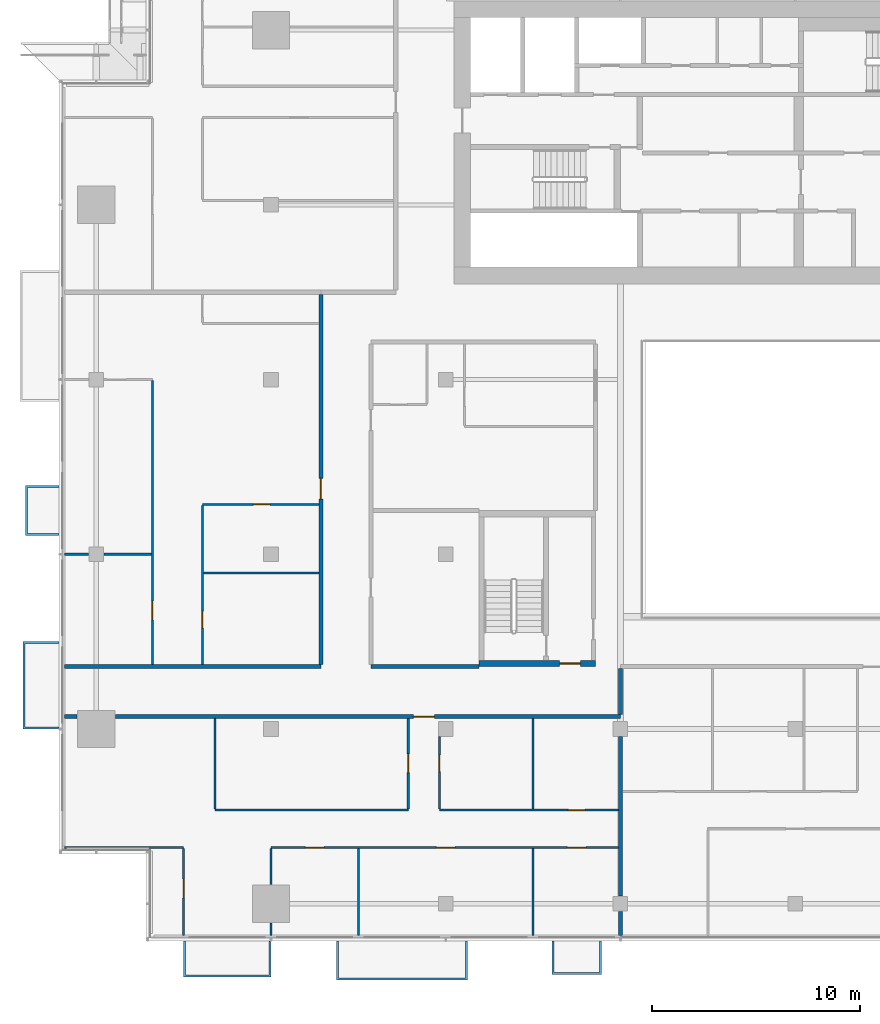
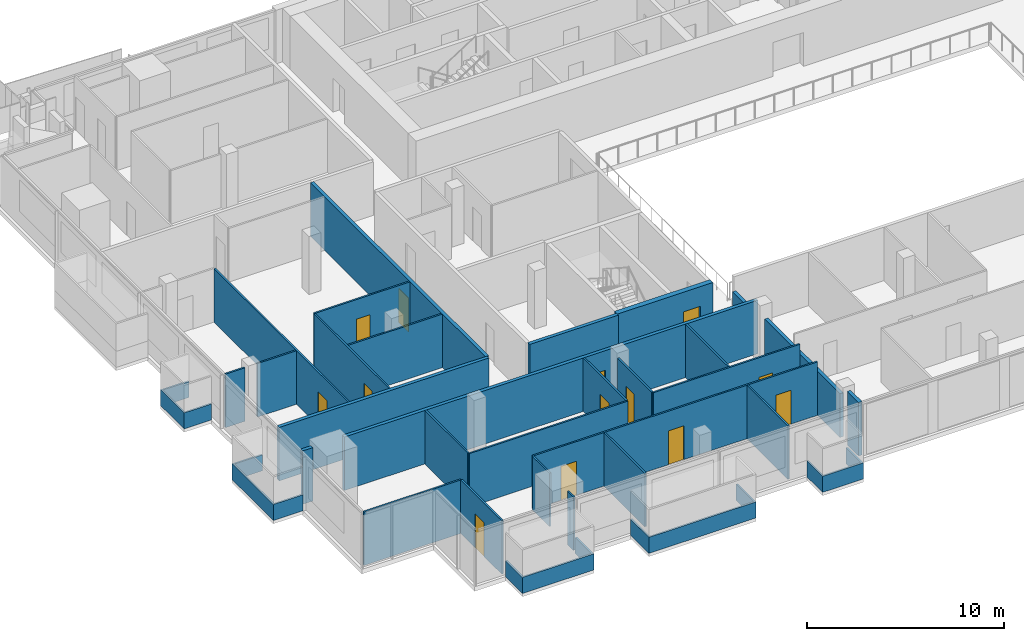
# One storey, part 17 of 30: 33 walls, 13 doors, 13 openings.
"""IFC4 building model written with IfcOpenShell, lengths in metres."""

import ifcopenshell
import ifcopenshell.guid

model = None  # the IFC model being written
_history = None  # IfcOwnerHistory: only IFC2X3 demands one
_inside = {}  # id of a spatial element -> (the spatial element, [elements in it])
_under = {}  # id of a project, library or spatial element -> (it, [spatial elements below it])
_declared = {}  # id of a project -> (the project, [libraries it declares])
_typed = {}  # id of a type object -> (the type object, [elements of that type])
_made_of = {}  # id of a material, layer set ... -> (it, [elements and type objects made of it])


def new_model(schema):
    """Start an empty IFC model of exactly this schema.

    Asked for "IFC4X3", IfcOpenShell would pick the latest addendum, in which some entities
    have other attributes; the version numbers below select the first issue.
    IFC2X3 requires an IfcOwnerHistory on every rooted entity: one is made here for all.
    """
    global model, _history
    if schema == "IFC4X3":
        model = ifcopenshell.file(schema_version=(4, 3, 0, 0))
    else:
        model = ifcopenshell.file(schema=schema)
    _inside.clear()
    _under.clear()
    _declared.clear()
    _typed.clear()
    _made_of.clear()
    _history = None
    if model.schema == "IFC2X3":
        org = make("IfcOrganization", Name="unknown")
        user = make(
            "IfcPersonAndOrganization",
            ThePerson=make("IfcPerson", FamilyName="unknown"),
            TheOrganization=org,
        )
        app = make(
            "IfcApplication",
            ApplicationDeveloper=org,
            Version="unknown",
            ApplicationFullName="unknown",
            ApplicationIdentifier="unknown",
        )
        _history = make(
            "IfcOwnerHistory",
            OwningUser=user,
            OwningApplication=app,
            ChangeAction="ADDED",
            CreationDate=0,
        )
    return model


def make(cls, **values):
    """One entity of the class cls with the attributes given. An attribute that is None is left unset."""
    return model.create_entity(
        cls, **{name: value for name, value in values.items() if value is not None}
    )


def rooted(cls, **values):
    """An entity with a GlobalId (a new one), such as an element, a storey or a relation."""
    return make(cls, GlobalId=ifcopenshell.guid.new(), OwnerHistory=_history, **values)


def si_unit(unit_type, name, prefix=None):
    """IfcSIUnit, for example si_unit("LENGTHUNIT", "METRE", prefix="MILLI")."""
    return make("IfcSIUnit", UnitType=unit_type, Prefix=prefix, Name=name)


def assignment(units):
    """IfcUnitAssignment: the units of a project."""
    return None if units is None else make("IfcUnitAssignment", Units=units)


def point(xyz):
    """IfcCartesianPoint."""
    return None if xyz is None else make("IfcCartesianPoint", Coordinates=xyz)


def direction(xyz):
    """IfcDirection."""
    return None if xyz is None else make("IfcDirection", DirectionRatios=xyz)


def frame(location, z_axis=None, x_axis=None):
    """IfcAxis2Placement3D, a coordinate frame: its origin and axes. An axis left out is left unset."""
    return make(
        "IfcAxis2Placement3D",
        Location=point(location),
        Axis=direction(z_axis),
        RefDirection=direction(x_axis),
    )


def frame_2d(location, x_axis=None):
    """IfcAxis2Placement2D, a coordinate frame in the plane: its origin and x axis."""
    return make(
        "IfcAxis2Placement2D", Location=point(location), RefDirection=direction(x_axis)
    )


def origin():
    """The frame at (0, 0, 0) with its axes left unset."""
    return frame((0.0, 0.0, 0.0))


def place(relative_to, where):
    """IfcLocalPlacement: puts the frame where relative to a parent placement (None: the world)."""
    return make(
        "IfcLocalPlacement", PlacementRelTo=relative_to, RelativePlacement=where
    )


def context(
    kind, dimensions, precision=None, world=None, true_north=None, identifier=None
):
    """IfcGeometricRepresentationContext, for example the 3D "Model" context."""
    return make(
        "IfcGeometricRepresentationContext",
        ContextIdentifier=identifier,
        ContextType=kind,
        CoordinateSpaceDimension=dimensions,
        Precision=precision,
        WorldCoordinateSystem=world,
        TrueNorth=true_north,
    )


def subcontext(parent, identifier, kind, view, scale=None):
    """IfcGeometricRepresentationSubContext, for example "Body" below "Model"."""
    return make(
        "IfcGeometricRepresentationSubContext",
        ContextIdentifier=identifier,
        ContextType=kind,
        ParentContext=parent,
        TargetScale=scale,
        TargetView=view,
    )


def project(units=None, contexts=None):
    """IfcProject with its units and contexts."""
    return rooted(
        "IfcProject",
        Name="project",
        RepresentationContexts=contexts,
        UnitsInContext=assignment(units),
    )


def spatial(cls, under=None, at=None, **own):
    """A site, building, storey or space (cls), placed at a placement, below another one or the project."""
    s = rooted(cls, ObjectPlacement=at, **own)
    if under is not None:
        _under.setdefault(under.id(), (under, []))[1].append(s)
    return s


def polyline(points):
    """IfcPolyline through the points."""
    return make("IfcPolyline", Points=[point(p) for p in points])


def profile(cls, at=None, kind="AREA", **sizes):
    """A parametric profile (cls). Its sizes go by their IFC names, for example OverallWidth=200.0."""
    return make(cls, ProfileType=kind, Position=at, **sizes)


def rectangle(**sizes):
    """IfcRectangleProfileDef."""
    return profile("IfcRectangleProfileDef", **sizes)


def outline(outer, holes=None, kind="AREA"):
    """IfcArbitraryClosedProfileDef: a profile drawn as a closed curve; with holes, ...WithVoids."""
    if holes is None:
        return make("IfcArbitraryClosedProfileDef", ProfileType=kind, OuterCurve=outer)
    return make(
        "IfcArbitraryProfileDefWithVoids",
        ProfileType=kind,
        OuterCurve=outer,
        InnerCurves=holes,
    )


def extrude(swept, where, along, depth):
    """IfcExtrudedAreaSolid: the profile swept, set in the frame where, extruded along a direction by depth."""
    return make(
        "IfcExtrudedAreaSolid",
        SweptArea=swept,
        Position=where,
        ExtrudedDirection=direction(along),
        Depth=depth,
    )


def shape(context_of_items, identifier, shape_type, items):
    """IfcShapeRepresentation: the items that make up one representation, for example the "Body"."""
    return make(
        "IfcShapeRepresentation",
        ContextOfItems=context_of_items,
        RepresentationIdentifier=identifier,
        RepresentationType=shape_type,
        Items=items,
    )


def material(Name=None, Category=None):
    """IfcMaterial."""
    return make("IfcMaterial", Name=Name, Category=Category)


def layer(
    of_material, thickness, ventilated=None, Name=None, Category=None, Priority=None
):
    """IfcMaterialLayer: one layer of a wall or slab, of a material (None: an air gap)."""
    return make(
        "IfcMaterialLayer",
        Material=of_material,
        LayerThickness=thickness,
        IsVentilated=ventilated,
        Name=Name,
        Category=Category,
        Priority=Priority,
    )


def layer_set(layers, Name=None):
    """IfcMaterialLayerSet."""
    return make("IfcMaterialLayerSet", MaterialLayers=layers, LayerSetName=Name)


def made_of(thing, what):
    """Note that an element or type object is made of a material, layer set ...; save() writes the relation."""
    if what is not None:
        _made_of.setdefault(what.id(), (what, []))[1].append(thing)
    return thing


def type_object(cls, material=None, **own):
    """A type object (cls), such as IfcWallType, which elements share."""
    return made_of(rooted(cls, **own), material)


def element(
    cls,
    number,
    at=None,
    inside=None,
    cuts=None,
    type_object=None,
    material=None,
    context=None,
    identifier="Body",
    shape_type=None,
    held_by="IfcProductDefinitionShape",
    body=None,
    shapes=None,
    **own,
):
    """One element of the class cls, such as IfcWall. Its Tag is "e" and its number.

    at: its placement. inside: the storey or other place that contains it. cuts: it is an
    opening in that element (IfcRelVoidsElement). A single representation is given by context,
    identifier, shape_type and body (its items); several are given by shapes. held_by: the class
    of the entity that holds the representations. save() writes the other relations.
    """
    e = rooted(cls, Tag="e%d" % number, ObjectPlacement=at, **own)
    if body is not None:
        shapes = [shape(context, identifier, shape_type, body)]
    if shapes is not None:
        e.Representation = make(held_by, Representations=shapes)
    if inside is not None:
        _inside.setdefault(inside.id(), (inside, []))[1].append(e)
    if cuts is not None:
        rooted(
            "IfcRelVoidsElement", RelatingBuildingElement=cuts, RelatedOpeningElement=e
        )
    if type_object is not None:
        _typed.setdefault(type_object.id(), (type_object, []))[1].append(e)
    return made_of(e, material)


def fill(opening, filler):
    """IfcRelFillsElement: the door or window that sits in an opening."""
    return rooted(
        "IfcRelFillsElement",
        RelatingOpeningElement=opening,
        RelatedBuildingElement=filler,
    )


def aggregate(whole, parts):
    """IfcRelAggregates: a whole, such as a stair, and the parts it consists of."""
    return rooted("IfcRelAggregates", RelatingObject=whole, RelatedObjects=parts)


def save(model, path):
    """Write the relations noted so far, then the file.

    IfcRelAggregates (storeys below a building ...), IfcRelContainedInSpatialStructure (elements
    in a storey), IfcRelDefinesByType, IfcRelAssociatesMaterial and IfcRelDeclares: one each for
    every whole, place, type object, material and project.
    """
    for whole, parts in _under.values():
        aggregate(whole, parts)
    for where, things in _inside.values():
        rooted(
            "IfcRelContainedInSpatialStructure",
            RelatedElements=things,
            RelatingStructure=where,
        )
    for kind, things in _typed.values():
        rooted("IfcRelDefinesByType", RelatedObjects=things, RelatingType=kind)
    for what, things in _made_of.values():
        rooted("IfcRelAssociatesMaterial", RelatedObjects=things, RelatingMaterial=what)
    for by, libraries in _declared.values():
        rooted("IfcRelDeclares", RelatingContext=by, RelatedDefinitions=libraries)
    model.write(path)


model = new_model("IFC4")

# Units and contexts
model_context = context("Model", 3, precision=1e-05, world=origin(), true_north=direction((0.0, 1.0)))
body_context = subcontext(model_context, "Body", "Model", "MODEL_VIEW")
ifc_project = project(units=[si_unit("LENGTHUNIT", "METRE"), si_unit("AREAUNIT", "SQUARE_METRE"), si_unit("VOLUMEUNIT", "CUBIC_METRE"), si_unit("PLANEANGLEUNIT", "RADIAN"), si_unit("MASSUNIT", "GRAM", prefix="KILO")], contexts=[model_context])

# Site, building, storey
site_placement = place(None, origin())
site = spatial("IfcSite", under=ifc_project, at=site_placement, CompositionType="ELEMENT")
building_placement = place(site_placement, origin())
building = spatial("IfcBuilding", under=site, at=building_placement, Name="Saffron Gate Tower", CompositionType="ELEMENT")
storey_placement = place(building_placement, frame((0.0, 0.0, 158.25)))
storey = spatial("IfcBuildingStorey", under=building, at=storey_placement, Name="L38", CompositionType="ELEMENT", Elevation=158.25)

# Wall, opening, door
ifc_material_1 = material(Name="Concrete C60", Category="concrete")
ifc_layer_1 = layer(ifc_material_1, 0.300048828125)
ifc_layer_set_1 = layer_set([ifc_layer_1], Name="CW17 RC core wall 300 C60")
wall_type_1 = type_object("IfcWallType", Name="CW17 RC core wall 300 C60", PredefinedType="SOLIDWALL", material=ifc_layer_set_1)
wall_1_placement = place(storey_placement, frame((68.199951171875, 43.35009765625, 0.0), z_axis=(0.0, 0.0, 1.0), x_axis=(1.0, 0.0, 0.0)))
wall_1 = element("IfcWall", 1, at=wall_1_placement, inside=storey, type_object=wall_type_1, Name="Wall CW17-L38-D-1", PredefinedType="SOLIDWALL", context=body_context, shape_type="SweptSolid", body=[
    extrude(rectangle(XDim=5.60009765625, YDim=0.300048828125, at=frame_2d((2.800048828125, 0.0))), origin(), (0.0, 0.0, 1.0), 3.320068359375),
])
opening_1_placement = place(wall_1_placement, frame((3.875, 0.0, 0.0)))
opening_1 = element("IfcOpeningElement", 2, at=opening_1_placement, cuts=wall_1, Name="Opening CR-18", PredefinedType="OPENING", context=body_context, shape_type="SweptSolid", body=[
    extrude(rectangle(XDim=1.0, YDim=2.10009765625, at=frame_2d((0.5, 1.050048828125))), frame((0.0, 0.16015625, 0.0), z_axis=(0.0, -1.0, 0.0), x_axis=(1.0, 0.0, 0.0)), (0.0, 0.0, 1.0), 0.320068359375),
])
ifc_material_2 = material(Name="Steel fire door set", Category="steel")
door_type_1 = type_object("IfcDoorType", Name="CD4 Lobby door 1000x2100 EI 120", OperationType="NOTDEFINED", PredefinedType="DOOR", material=ifc_material_2)
door_1_placement = place(opening_1_placement, origin())
door_1 = element("IfcDoor", 3, at=door_1_placement, inside=storey, type_object=door_type_1, Name="DOOR CR-18", OperationType="SINGLE_SWING_RIGHT", OverallHeight=2.10009765625, OverallWidth=1.0, PredefinedType="DOOR", context=body_context, shape_type="SweptSolid", body=[
    extrude(rectangle(XDim=1.0, YDim=2.10009765625, at=frame_2d((0.5, 1.050048828125))), frame((0.0, 0.02490234375, 0.0), z_axis=(0.0, -1.0, 0.0), x_axis=(1.0, 0.0, 0.0)), (0.0, 0.0, 1.0), 0.050048828125),
])
fill(opening_1, door_1)

# Wall
ifc_material_3 = material(Name="Plasterboard on steel studs", Category="steel")
ifc_layer_2 = layer(ifc_material_3, 0.10009765625)
ifc_layer_set_2 = layer_set([ifc_layer_2], Name="PW1 Partition 100")
wall_type_2 = type_object("IfcWallType", Name="PW1 Partition 100", PredefinedType="PARTITIONING", material=ifc_layer_set_2)
wall_2_placement = place(storey_placement, frame((48.280029296875, 34.5, 0.0), z_axis=(0.0, 0.0, 1.0), x_axis=(1.0, 0.0, 0.0)))
element("IfcWall", 4, at=wall_2_placement, inside=storey, type_object=wall_type_2, Name="Partition C2-1", PredefinedType="PARTITIONING", context=body_context, shape_type="SweptSolid", body=[
    extrude(rectangle(XDim=5.719970703125, YDim=0.10009765625, at=frame_2d((2.85986328125, 0.0))), origin(), (0.0, 0.0, 1.0), 3.320068359375),
])

# Wall, openings, doors
wall_3_placement = place(storey_placement, frame((74.89990234375, 34.5, 0.0), z_axis=(0.0, 0.0, 1.0), x_axis=(-1.0, 0.0, 0.0)))
wall_3 = element("IfcWall", 5, at=wall_3_placement, inside=storey, type_object=wall_type_2, Name="Partition C2-2", PredefinedType="PARTITIONING", context=body_context, shape_type="SweptSolid", body=[
    extrude(rectangle(XDim=16.699951171875, YDim=0.10009765625, at=frame_2d((8.35009765625, 0.0))), origin(), (0.0, 0.0, 1.0), 3.320068359375),
])
opening_2_placement = place(wall_3_placement, frame((1.550048828125, 0.0, 0.0)))
opening_2 = element("IfcOpeningElement", 6, at=opening_2_placement, cuts=wall_3, Name="Opening C2-13", PredefinedType="OPENING", context=body_context, shape_type="SweptSolid", body=[
    extrude(rectangle(XDim=0.89990234375, YDim=2.10009765625, at=frame_2d((0.449951171875, 1.050048828125))), frame((0.0, 0.06005859375, 0.0), z_axis=(0.0, -1.0, 0.0), x_axis=(1.0, 0.0, 0.0)), (0.0, 0.0, 1.0), 0.1201171875),
])
opening_3_placement = place(wall_3_placement, frame((7.85009765625, 0.0, 0.0)))
opening_3 = element("IfcOpeningElement", 7, at=opening_3_placement, cuts=wall_3, Name="Opening C2-12", PredefinedType="OPENING", context=body_context, shape_type="SweptSolid", body=[
    extrude(rectangle(XDim=0.89990234375, YDim=2.10009765625, at=frame_2d((0.449951171875, 1.050048828125))), frame((0.0, 0.06005859375, 0.0), z_axis=(0.0, -1.0, 0.0), x_axis=(1.0, 0.0, 0.0)), (0.0, 0.0, 1.0), 0.1201171875),
])
opening_4_placement = place(wall_3_placement, frame((14.14990234375, 0.0, 0.0)))
opening_4 = element("IfcOpeningElement", 8, at=opening_4_placement, cuts=wall_3, Name="Opening C2-11", PredefinedType="OPENING", context=body_context, shape_type="SweptSolid", body=[
    extrude(rectangle(XDim=0.89990234375, YDim=2.10009765625, at=frame_2d((0.449951171875, 1.050048828125))), frame((0.0, 0.06005859375, 0.0), z_axis=(0.0, -1.0, 0.0), x_axis=(1.0, 0.0, 0.0)), (0.0, 0.0, 1.0), 0.1201171875),
])
ifc_material_4 = material(Name="Timber door set", Category="wood")
door_type_2 = type_object("IfcDoorType", Name="RD1 Room door 900x2100", OperationType="NOTDEFINED", PredefinedType="DOOR", material=ifc_material_4)
door_2_placement = place(opening_2_placement, origin())
door_2 = element("IfcDoor", 9, at=door_2_placement, inside=storey, type_object=door_type_2, Name="Door C2-13", OperationType="SINGLE_SWING_LEFT", OverallHeight=2.10009765625, OverallWidth=0.89990234375, PredefinedType="DOOR", context=body_context, shape_type="SweptSolid", body=[
    extrude(rectangle(XDim=0.89990234375, YDim=2.10009765625, at=frame_2d((0.449951171875, 1.050048828125))), frame((0.0, 0.02490234375, 0.0), z_axis=(0.0, -1.0, 0.0), x_axis=(1.0, 0.0, 0.0)), (0.0, 0.0, 1.0), 0.050048828125),
])
fill(opening_2, door_2)
door_3_placement = place(opening_3_placement, origin())
door_3 = element("IfcDoor", 10, at=door_3_placement, inside=storey, type_object=door_type_2, Name="Door C2-12", OperationType="SINGLE_SWING_RIGHT", OverallHeight=2.10009765625, OverallWidth=0.89990234375, PredefinedType="DOOR", context=body_context, shape_type="SweptSolid", body=[
    extrude(rectangle(XDim=0.89990234375, YDim=2.10009765625, at=frame_2d((0.449951171875, 1.050048828125))), frame((0.0, 0.02490234375, 0.0), z_axis=(0.0, -1.0, 0.0), x_axis=(1.0, 0.0, 0.0)), (0.0, 0.0, 1.0), 0.050048828125),
])
fill(opening_3, door_3)
door_4_placement = place(opening_4_placement, origin())
door_4 = element("IfcDoor", 11, at=door_4_placement, inside=storey, type_object=door_type_2, Name="Door C2-11", OperationType="SINGLE_SWING_RIGHT", OverallHeight=2.10009765625, OverallWidth=0.89990234375, PredefinedType="DOOR", context=body_context, shape_type="SweptSolid", body=[
    extrude(rectangle(XDim=0.89990234375, YDim=2.10009765625, at=frame_2d((0.449951171875, 1.050048828125))), frame((0.0, 0.02490234375, 0.0), z_axis=(0.0, -1.0, 0.0), x_axis=(1.0, 0.0, 0.0)), (0.0, 0.0, 1.0), 0.050048828125),
])
fill(opening_4, door_4)

# Wall
wall_4_placement = place(storey_placement, frame((55.5, 36.300048828125, 0.0), z_axis=(0.0, 0.0, 1.0), x_axis=(1.0, 0.0, 0.0)))
element("IfcWall", 12, at=wall_4_placement, inside=storey, type_object=wall_type_2, Name="Partition C2-6", PredefinedType="PARTITIONING", context=body_context, shape_type="SweptSolid", body=[
    extrude(rectangle(XDim=9.300048828125, YDim=0.10009765625, at=frame_2d((4.64990234375, 0.0))), origin(), (0.0, 0.0, 1.0), 3.320068359375),
])

# Wall, opening, door
wall_5_placement = place(storey_placement, frame((66.300048828125, 36.300048828125, 0.0), z_axis=(0.0, 0.0, 1.0), x_axis=(1.0, 0.0, 0.0)))
wall_5 = element("IfcWall", 13, at=wall_5_placement, inside=storey, type_object=wall_type_2, Name="Partition C2-7", PredefinedType="PARTITIONING", context=body_context, shape_type="SweptSolid", body=[
    extrude(rectangle(XDim=8.599853515625, YDim=0.10009765625, at=frame_2d((4.2998046875, 0.0))), origin(), (0.0, 0.0, 1.0), 3.320068359375),
])
opening_5_placement = place(wall_5_placement, frame((6.199951171875, 0.0, 0.0)))
opening_5 = element("IfcOpeningElement", 14, at=opening_5_placement, cuts=wall_5, Name="Opening C2-40", PredefinedType="OPENING", context=body_context, shape_type="SweptSolid", body=[
    extrude(rectangle(XDim=0.800048828125, YDim=2.10009765625, at=frame_2d((0.39990234375, 1.050048828125))), frame((0.0, 0.06005859375, 0.0), z_axis=(0.0, -1.0, 0.0), x_axis=(1.0, 0.0, 0.0)), (0.0, 0.0, 1.0), 0.1201171875),
])
door_type_3 = type_object("IfcDoorType", Name="RD2 Bathroom door 800x2100", OperationType="NOTDEFINED", PredefinedType="DOOR", material=ifc_material_4)
door_5_placement = place(opening_5_placement, origin())
door_5 = element("IfcDoor", 15, at=door_5_placement, inside=storey, type_object=door_type_3, Name="Door C2-40", OperationType="SINGLE_SWING_RIGHT", OverallHeight=2.10009765625, OverallWidth=0.800048828125, PredefinedType="DOOR", context=body_context, shape_type="SweptSolid", body=[
    extrude(rectangle(XDim=0.800048828125, YDim=2.10009765625, at=frame_2d((0.39990234375, 1.050048828125))), frame((0.0, 0.02490234375, 0.0), z_axis=(0.0, -1.0, 0.0), x_axis=(1.0, 0.0, 0.0)), (0.0, 0.0, 1.0), 0.050048828125),
])
fill(opening_5, door_5)

# Walls
wall_6_placement = place(storey_placement, frame((54.949951171875, 47.699951171875, 0.0), z_axis=(0.0, 0.0, 1.0), x_axis=(1.0, 0.0, 0.0)))
element("IfcWall", 16, at=wall_6_placement, inside=storey, type_object=wall_type_2, Name="Partition C2-21", PredefinedType="PARTITIONING", context=body_context, shape_type="SweptSolid", body=[
    extrude(rectangle(XDim=5.550048828125, YDim=0.10009765625, at=frame_2d((2.77490234375, 0.0))), origin(), (0.0, 0.0, 1.0), 3.320068359375),
])
wall_7_placement = place(storey_placement, frame((48.280029296875, 48.60009765625, 0.0), z_axis=(0.0, 0.0, 1.0), x_axis=(1.0, 0.0, 0.0)))
element("IfcWall", 17, at=wall_7_placement, inside=storey, type_object=wall_type_2, Name="Partition C2-22", PredefinedType="PARTITIONING", context=body_context, shape_type="SweptSolid", body=[
    extrude(rectangle(XDim=1.14990234375, YDim=0.10009765625, at=frame_2d((0.574951171875, 0.0))), origin(), (0.0, 0.0, 1.0), 3.320068359375),
])
wall_8_placement = place(storey_placement, frame((50.169921875, 48.60009765625, 0.0), z_axis=(0.0, 0.0, 1.0), x_axis=(1.0, 0.0, 0.0)))
element("IfcWall", 18, at=wall_8_placement, inside=storey, type_object=wall_type_2, Name="Partition C2-23", PredefinedType="PARTITIONING", context=body_context, shape_type="SweptSolid", body=[
    extrude(rectangle(XDim=2.280029296875, YDim=0.10009765625, at=frame_2d((1.14013671875, 0.0))), origin(), (0.0, 0.0, 1.0), 3.320068359375),
])

# Wall, opening, door
wall_9_placement = place(storey_placement, frame((60.5, 51.0, 0.0), z_axis=(0.0, 0.0, 1.0), x_axis=(-1.0, 0.0, 0.0)))
wall_9 = element("IfcWall", 19, at=wall_9_placement, inside=storey, type_object=wall_type_2, Name="Partition C2-29", PredefinedType="PARTITIONING", context=body_context, shape_type="SweptSolid", body=[
    extrude(rectangle(XDim=5.60009765625, YDim=0.10009765625, at=frame_2d((2.800048828125, 0.0))), origin(), (0.0, 0.0, 1.0), 3.320068359375),
])
opening_6_placement = place(wall_9_placement, frame((2.35009765625, 0.0, 0.0)))
opening_6 = element("IfcOpeningElement", 20, at=opening_6_placement, cuts=wall_9, Name="Opening C2-46", PredefinedType="OPENING", context=body_context, shape_type="SweptSolid", body=[
    extrude(rectangle(XDim=0.800048828125, YDim=2.10009765625, at=frame_2d((0.39990234375, 1.050048828125))), frame((0.0, 0.06005859375, 0.0), z_axis=(0.0, -1.0, 0.0), x_axis=(1.0, 0.0, 0.0)), (0.0, 0.0, 1.0), 0.1201171875),
])
door_6_placement = place(opening_6_placement, origin())
door_6 = element("IfcDoor", 21, at=door_6_placement, inside=storey, type_object=door_type_3, Name="Door C2-46", OperationType="SINGLE_SWING_LEFT", OverallHeight=2.10009765625, OverallWidth=0.800048828125, PredefinedType="DOOR", context=body_context, shape_type="SweptSolid", body=[
    extrude(rectangle(XDim=0.800048828125, YDim=2.10009765625, at=frame_2d((0.39990234375, 1.050048828125))), frame((0.0, 0.02490234375, 0.0), z_axis=(0.0, -1.0, 0.0), x_axis=(1.0, 0.0, 0.0)), (0.0, 0.0, 1.0), 0.050048828125),
])
fill(opening_6, door_6)

wall_10_placement = place(storey_placement, frame((52.5, 43.300048828125, 0.0), z_axis=(0.0, 0.0, 1.0), x_axis=(0.0, 1.0, 0.0)))
wall_10 = element("IfcWall", 22, at=wall_10_placement, inside=storey, type_object=wall_type_2, Name="Partition C2-62", PredefinedType="PARTITIONING", context=body_context, shape_type="SweptSolid", body=[
    extrude(rectangle(XDim=13.64990234375, YDim=0.10009765625, at=frame_2d((6.824951171875, 0.0))), origin(), (0.0, 0.0, 1.0), 3.320068359375),
])
opening_7_placement = place(wall_10_placement, frame((2.14990234375, 0.0, 0.0)))
opening_7 = element("IfcOpeningElement", 23, at=opening_7_placement, cuts=wall_10, Name="Opening C2-25", PredefinedType="OPENING", context=body_context, shape_type="SweptSolid", body=[
    extrude(rectangle(XDim=0.89990234375, YDim=2.10009765625, at=frame_2d((0.449951171875, 1.050048828125))), frame((0.0, 0.06005859375, 0.0), z_axis=(0.0, -1.0, 0.0), x_axis=(1.0, 0.0, 0.0)), (0.0, 0.0, 1.0), 0.1201171875),
])
door_7_placement = place(opening_7_placement, origin())
door_7 = element("IfcDoor", 24, at=door_7_placement, inside=storey, type_object=door_type_2, Name="Door C2-25", OperationType="SINGLE_SWING_LEFT", OverallHeight=2.10009765625, OverallWidth=0.89990234375, PredefinedType="DOOR", context=body_context, shape_type="SweptSolid", body=[
    extrude(rectangle(XDim=0.89990234375, YDim=2.10009765625, at=frame_2d((0.449951171875, 1.050048828125))), frame((0.0, 0.02490234375, 0.0), z_axis=(0.0, -1.0, 0.0), x_axis=(1.0, 0.0, 0.0)), (0.0, 0.0, 1.0), 0.050048828125),
])
fill(opening_7, door_7)

wall_11_placement = place(storey_placement, frame((54.0, 30.280029296875, 0.0), z_axis=(0.0, 0.0, 1.0), x_axis=(0.0, 1.0, 0.0)))
wall_11 = element("IfcWall", 25, at=wall_11_placement, inside=storey, type_object=wall_type_2, Name="Partition C2-64", PredefinedType="PARTITIONING", context=body_context, shape_type="SweptSolid", body=[
    extrude(rectangle(XDim=4.169921875, YDim=0.10009765625, at=frame_2d((2.0849609375, 0.0))), origin(), (0.0, 0.0, 1.0), 3.320068359375),
])
opening_8_placement = place(wall_11_placement, frame((1.802734375, 0.0, 0.0)))
opening_8 = element("IfcOpeningElement", 26, at=opening_8_placement, cuts=wall_11, Name="Opening C2-10", PredefinedType="OPENING", context=body_context, shape_type="SweptSolid", body=[
    extrude(rectangle(XDim=0.89990234375, YDim=2.10009765625, at=frame_2d((0.449951171875, 1.050048828125))), frame((0.0, 0.06005859375, 0.0), z_axis=(0.0, -1.0, 0.0), x_axis=(1.0, 0.0, 0.0)), (0.0, 0.0, 1.0), 0.1201171875),
])
door_8_placement = place(opening_8_placement, origin())
door_8 = element("IfcDoor", 27, at=door_8_placement, inside=storey, type_object=door_type_2, Name="Door C2-10", OperationType="SINGLE_SWING_RIGHT", OverallHeight=2.10009765625, OverallWidth=0.89990234375, PredefinedType="DOOR", context=body_context, shape_type="SweptSolid", body=[
    extrude(rectangle(XDim=0.89990234375, YDim=2.10009765625, at=frame_2d((0.449951171875, 1.050048828125))), frame((0.0, 0.02490234375, 0.0), z_axis=(0.0, -1.0, 0.0), x_axis=(1.0, 0.0, 0.0)), (0.0, 0.0, 1.0), 0.050048828125),
])
fill(opening_8, door_8)

wall_12_placement = place(storey_placement, frame((54.89990234375, 50.949951171875, 0.0), z_axis=(0.0, 0.0, 1.0), x_axis=(0.0, -1.0, 0.0)))
wall_12 = element("IfcWall", 28, at=wall_12_placement, inside=storey, type_object=wall_type_2, Name="Partition C2-65", PredefinedType="PARTITIONING", context=body_context, shape_type="SweptSolid", body=[
    extrude(rectangle(XDim=7.64990234375, YDim=0.10009765625, at=frame_2d((3.824951171875, 0.0))), origin(), (0.0, 0.0, 1.0), 3.320068359375),
])
opening_9_placement = place(wall_12_placement, frame((5.10009765625, 0.0, 0.0)))
opening_9 = element("IfcOpeningElement", 29, at=opening_9_placement, cuts=wall_12, Name="Opening C2-45", PredefinedType="OPENING", context=body_context, shape_type="SweptSolid", body=[
    extrude(rectangle(XDim=0.800048828125, YDim=2.10009765625, at=frame_2d((0.39990234375, 1.050048828125))), frame((0.0, 0.06005859375, 0.0), z_axis=(0.0, -1.0, 0.0), x_axis=(1.0, 0.0, 0.0)), (0.0, 0.0, 1.0), 0.1201171875),
])
door_9_placement = place(opening_9_placement, origin())
door_9 = element("IfcDoor", 30, at=door_9_placement, inside=storey, type_object=door_type_3, Name="Door C2-45", OperationType="SINGLE_SWING_RIGHT", OverallHeight=2.10009765625, OverallWidth=0.800048828125, PredefinedType="DOOR", context=body_context, shape_type="SweptSolid", body=[
    extrude(rectangle(XDim=0.800048828125, YDim=2.10009765625, at=frame_2d((0.39990234375, 1.050048828125))), frame((0.0, 0.02490234375, 0.0), z_axis=(0.0, -1.0, 0.0), x_axis=(1.0, 0.0, 0.0)), (0.0, 0.0, 1.0), 0.050048828125),
])
fill(opening_9, door_9)

# Walls
wall_13_placement = place(storey_placement, frame((55.5, 40.699951171875, 0.0), z_axis=(0.0, 0.0, 1.0), x_axis=(0.0, -1.0, 0.0)))
element("IfcWall", 31, at=wall_13_placement, inside=storey, type_object=wall_type_2, Name="Partition C2-69", PredefinedType="PARTITIONING", context=body_context, shape_type="SweptSolid", body=[
    extrude(rectangle(XDim=4.349853515625, YDim=0.10009765625, at=frame_2d((2.1748046875, 0.0))), origin(), (0.0, 0.0, 1.0), 3.320068359375),
])
wall_14_placement = place(storey_placement, frame((58.199951171875, 30.8798828125, 0.0), z_axis=(0.0, 0.0, 1.0), x_axis=(0.0, -1.0, 0.0)))
element("IfcWall", 32, at=wall_14_placement, inside=storey, type_object=wall_type_2, Name="Partition C2-70", PredefinedType="PARTITIONING", context=body_context, shape_type="SweptSolid", body=[
    extrude(rectangle(XDim=0.599853515625, YDim=0.10009765625, at=frame_2d((0.2998046875, 0.0))), origin(), (0.0, 0.0, 1.0), 3.320068359375),
])
wall_15_placement = place(storey_placement, frame((58.199951171875, 34.449951171875, 0.0), z_axis=(0.0, 0.0, 1.0), x_axis=(0.0, -1.0, 0.0)))
element("IfcWall", 33, at=wall_15_placement, inside=storey, type_object=wall_type_2, Name="Partition C2-71", PredefinedType="PARTITIONING", context=body_context, shape_type="SweptSolid", body=[
    extrude(rectangle(XDim=1.72998046875, YDim=0.10009765625, at=frame_2d((0.864990234375, 0.0))), origin(), (0.0, 0.0, 1.0), 3.320068359375),
])
wall_16_placement = place(storey_placement, frame((62.39990234375, 34.449951171875, 0.0), z_axis=(0.0, 0.0, 1.0), x_axis=(0.0, -1.0, 0.0)))
element("IfcWall", 34, at=wall_16_placement, inside=storey, type_object=wall_type_2, Name="Partition C2-73", PredefinedType="PARTITIONING", context=body_context, shape_type="SweptSolid", body=[
    extrude(rectangle(XDim=4.169921875, YDim=0.10009765625, at=frame_2d((2.0849609375, 0.0))), origin(), (0.0, 0.0, 1.0), 3.320068359375),
])

# Wall, opening, door
wall_17_placement = place(storey_placement, frame((64.800048828125, 36.35009765625, 0.0), z_axis=(0.0, 0.0, 1.0), x_axis=(0.0, 1.0, 0.0)))
wall_17 = element("IfcWall", 35, at=wall_17_placement, inside=storey, type_object=wall_type_2, Name="Partition C2-76", PredefinedType="PARTITIONING", context=body_context, shape_type="SweptSolid", body=[
    extrude(rectangle(XDim=4.349853515625, YDim=0.10009765625, at=frame_2d((2.1748046875, 0.0))), origin(), (0.0, 0.0, 1.0), 3.320068359375),
])
opening_10_placement = place(wall_17_placement, frame((1.75, 0.0, 0.0)))
opening_10 = element("IfcOpeningElement", 36, at=opening_10_placement, cuts=wall_17, Name="Opening C2-14", PredefinedType="OPENING", context=body_context, shape_type="SweptSolid", body=[
    extrude(rectangle(XDim=0.89990234375, YDim=2.10009765625, at=frame_2d((0.449951171875, 1.050048828125))), frame((0.0, 0.06005859375, 0.0), z_axis=(0.0, -1.0, 0.0), x_axis=(1.0, 0.0, 0.0)), (0.0, 0.0, 1.0), 0.1201171875),
])
door_10_placement = place(opening_10_placement, origin())
door_10 = element("IfcDoor", 37, at=door_10_placement, inside=storey, type_object=door_type_2, Name="Door C2-14", OperationType="SINGLE_SWING_RIGHT", OverallHeight=2.10009765625, OverallWidth=0.89990234375, PredefinedType="DOOR", context=body_context, shape_type="SweptSolid", body=[
    extrude(rectangle(XDim=0.89990234375, YDim=2.10009765625, at=frame_2d((0.449951171875, 1.050048828125))), frame((0.0, 0.02490234375, 0.0), z_axis=(0.0, -1.0, 0.0), x_axis=(1.0, 0.0, 0.0)), (0.0, 0.0, 1.0), 0.050048828125),
])
fill(opening_10, door_10)

wall_18_placement = place(storey_placement, frame((66.300048828125, 39.830078125, 0.0), z_axis=(0.0, 0.0, 1.0), x_axis=(0.0, -1.0, 0.0)))
wall_18 = element("IfcWall", 38, at=wall_18_placement, inside=storey, type_object=wall_type_2, Name="Partition C2-78", PredefinedType="PARTITIONING", context=body_context, shape_type="SweptSolid", body=[
    extrude(rectangle(XDim=3.47998046875, YDim=0.10009765625, at=frame_2d((1.739990234375, 0.0))), origin(), (0.0, 0.0, 1.0), 3.320068359375),
])
opening_11_placement = place(wall_18_placement, frame((0.8798828125, 0.0, 0.0)))
opening_11 = element("IfcOpeningElement", 39, at=opening_11_placement, cuts=wall_18, Name="Opening C2-39", PredefinedType="OPENING", context=body_context, shape_type="SweptSolid", body=[
    extrude(rectangle(XDim=0.800048828125, YDim=2.10009765625, at=frame_2d((0.39990234375, 1.050048828125))), frame((0.0, 0.06005859375, 0.0), z_axis=(0.0, -1.0, 0.0), x_axis=(1.0, 0.0, 0.0)), (0.0, 0.0, 1.0), 0.1201171875),
])
door_11_placement = place(opening_11_placement, origin())
door_11 = element("IfcDoor", 40, at=door_11_placement, inside=storey, type_object=door_type_3, Name="Door C2-39", OperationType="SINGLE_SWING_LEFT", OverallHeight=2.10009765625, OverallWidth=0.800048828125, PredefinedType="DOOR", context=body_context, shape_type="SweptSolid", body=[
    extrude(rectangle(XDim=0.800048828125, YDim=2.10009765625, at=frame_2d((0.39990234375, 1.050048828125))), frame((0.0, 0.02490234375, 0.0), z_axis=(0.0, -1.0, 0.0), x_axis=(1.0, 0.0, 0.0)), (0.0, 0.0, 1.0), 0.050048828125),
])
fill(opening_11, door_11)

# Walls
wall_19_placement = place(storey_placement, frame((70.800048828125, 34.449951171875, 0.0), z_axis=(0.0, 0.0, 1.0), x_axis=(0.0, -1.0, 0.0)))
element("IfcWall", 41, at=wall_19_placement, inside=storey, type_object=wall_type_2, Name="Partition C2-80", PredefinedType="PARTITIONING", context=body_context, shape_type="SweptSolid", body=[
    extrude(rectangle(XDim=4.169921875, YDim=0.10009765625, at=frame_2d((2.0849609375, 0.0))), origin(), (0.0, 0.0, 1.0), 3.320068359375),
])
wall_20_placement = place(storey_placement, frame((70.800048828125, 40.699951171875, 0.0), z_axis=(0.0, 0.0, 1.0), x_axis=(0.0, -1.0, 0.0)))
element("IfcWall", 42, at=wall_20_placement, inside=storey, type_object=wall_type_2, Name="Partition C2-81", PredefinedType="PARTITIONING", context=body_context, shape_type="SweptSolid", body=[
    extrude(rectangle(XDim=4.349853515625, YDim=0.10009765625, at=frame_2d((2.1748046875, 0.0))), origin(), (0.0, 0.0, 1.0), 3.320068359375),
])
ifc_material_5 = material(Name="Clay brick masonry, rendered", Category="masonry")
ifc_layer_3 = layer(ifc_material_5, 0.199951171875)
ifc_layer_set_3 = layer_set([ifc_layer_3], Name="PW2 Demising wall 200")
wall_type_3 = type_object("IfcWallType", Name="PW2 Demising wall 200", PredefinedType="PARTITIONING", material=ifc_layer_set_3)
wall_21_placement = place(storey_placement, frame((75.0, 31.429931640625, 0.0), z_axis=(0.0, 0.0, 1.0), x_axis=(0.0, -1.0, 0.0)))
element("IfcWall", 43, at=wall_21_placement, inside=storey, type_object=wall_type_3, Name="Wall C2-84", PredefinedType="PARTITIONING", context=body_context, shape_type="SweptSolid", body=[
    extrude(rectangle(XDim=1.14990234375, YDim=0.199951171875, at=frame_2d((0.574951171875, 0.0))), origin(), (0.0, 0.0, 1.0), 3.320068359375),
])
wall_22_placement = place(storey_placement, frame((75.0, 39.830078125, 0.0), z_axis=(0.0, 0.0, 1.0), x_axis=(0.0, -1.0, 0.0)))
element("IfcWall", 44, at=wall_22_placement, inside=storey, type_object=wall_type_3, Name="Wall C2-85", PredefinedType="PARTITIONING", context=body_context, shape_type="SweptSolid", body=[
    extrude(rectangle(XDim=7.66015625, YDim=0.199951171875, at=frame_2d((3.830078125, 0.0))), origin(), (0.0, 0.0, 1.0), 2.719970703125),
])
ifc_layer_4 = layer(ifc_material_5, 0.199951171875)
ifc_layer_set_4 = layer_set([ifc_layer_4], Name="PW3 Corridor wall 200")
wall_type_4 = type_object("IfcWallType", Name="PW3 Corridor wall 200", PredefinedType="PARTITIONING", material=ifc_layer_set_4)
wall_23_placement = place(storey_placement, frame((48.280029296875, 40.800048828125, 0.0), z_axis=(0.0, 0.0, 1.0), x_axis=(1.0, 0.0, 0.0)))
element("IfcWall", 45, at=wall_23_placement, inside=storey, type_object=wall_type_4, Name="Wall C2-12", PredefinedType="PARTITIONING", context=body_context, shape_type="SweptSolid", body=[
    extrude(rectangle(XDim=0.599853515625, YDim=0.199951171875, at=frame_2d((0.2998046875, 0.0))), origin(), (0.0, 0.0, 1.0), 3.320068359375),
])

# Wall, opening, door
wall_24_placement = place(storey_placement, frame((75.0, 40.800048828125, 0.0), z_axis=(0.0, 0.0, 1.0), x_axis=(-1.0, 0.0, 0.0)))
wall_24 = element("IfcWall", 46, at=wall_24_placement, inside=storey, type_object=wall_type_4, Name="Wall C2-13", PredefinedType="PARTITIONING", context=body_context, shape_type="SweptSolid", body=[
    extrude(rectangle(XDim=24.280029296875, YDim=0.199951171875, at=frame_2d((12.14013671875, 0.0))), origin(), (0.0, 0.0, 1.0), 3.320068359375),
])
opening_12_placement = place(wall_24_placement, frame((8.949951171875, 0.0, 0.0)))
opening_12 = element("IfcOpeningElement", 47, at=opening_12_placement, cuts=wall_24, Name="Opening C2-1", PredefinedType="OPENING", context=body_context, shape_type="SweptSolid", body=[
    extrude(rectangle(XDim=1.0, YDim=2.10009765625, at=frame_2d((0.5, 1.050048828125))), frame((0.0, 0.10986328125, 0.0), z_axis=(0.0, -1.0, 0.0), x_axis=(1.0, 0.0, 0.0)), (0.0, 0.0, 1.0), 0.219970703125),
])
ifc_material_6 = material(Name="Timber fire door set", Category="wood")
door_type_4 = type_object("IfcDoorType", Name="FD1 Flat entry door 1000x2100", OperationType="NOTDEFINED", PredefinedType="DOOR", material=ifc_material_6)
door_12_placement = place(opening_12_placement, origin())
door_12 = element("IfcDoor", 48, at=door_12_placement, inside=storey, type_object=door_type_4, Name="Door C2-1", OperationType="SINGLE_SWING_LEFT", OverallHeight=2.10009765625, OverallWidth=1.0, PredefinedType="DOOR", context=body_context, shape_type="SweptSolid", body=[
    extrude(rectangle(XDim=1.0, YDim=2.10009765625, at=frame_2d((0.5, 1.050048828125))), frame((0.0, 0.02490234375, 0.0), z_axis=(0.0, -1.0, 0.0), x_axis=(1.0, 0.0, 0.0)), (0.0, 0.0, 1.0), 0.050048828125),
])
fill(opening_12, door_12)

# Walls
wall_25_placement = place(storey_placement, frame((48.280029296875, 43.199951171875, 0.0), z_axis=(0.0, 0.0, 1.0), x_axis=(1.0, 0.0, 0.0)))
element("IfcWall", 49, at=wall_25_placement, inside=storey, type_object=wall_type_4, Name="Wall C2-16", PredefinedType="PARTITIONING", context=body_context, shape_type="SweptSolid", body=[
    extrude(rectangle(XDim=12.320068359375, YDim=0.199951171875, at=frame_2d((6.16015625, 0.0))), origin(), (0.0, 0.0, 1.0), 3.320068359375),
])
wall_26_placement = place(storey_placement, frame((63.0, 43.199951171875, 0.0), z_axis=(0.0, 0.0, 1.0), x_axis=(1.0, 0.0, 0.0)))
element("IfcWall", 50, at=wall_26_placement, inside=storey, type_object=wall_type_4, Name="Wall C2-17", PredefinedType="PARTITIONING", context=body_context, shape_type="SweptSolid", body=[
    extrude(rectangle(XDim=5.199951171875, YDim=0.199951171875, at=frame_2d((2.60009765625, 0.0))), origin(), (0.0, 0.0, 1.0), 3.320068359375),
])

# Wall, opening, door
wall_27_placement = place(storey_placement, frame((60.60009765625, 43.300048828125, 0.0), z_axis=(0.0, 0.0, 1.0), x_axis=(0.0, 1.0, 0.0)))
wall_27 = element("IfcWall", 51, at=wall_27_placement, inside=storey, type_object=wall_type_4, Name="Wall C2-72", PredefinedType="PARTITIONING", context=body_context, shape_type="SweptSolid", body=[
    extrude(rectangle(XDim=17.800048828125, YDim=0.199951171875, at=frame_2d((8.89990234375, 0.0))), origin(), (0.0, 0.0, 1.0), 3.320068359375),
])
opening_13_placement = place(wall_27_placement, frame((7.949951171875, 0.0, 0.0)))
opening_13 = element("IfcOpeningElement", 52, at=opening_13_placement, cuts=wall_27, Name="Opening C2-4", PredefinedType="OPENING", context=body_context, shape_type="SweptSolid", body=[
    extrude(rectangle(XDim=1.0, YDim=2.10009765625, at=frame_2d((0.5, 1.050048828125))), frame((0.0, 0.10986328125, 0.0), z_axis=(0.0, -1.0, 0.0), x_axis=(1.0, 0.0, 0.0)), (0.0, 0.0, 1.0), 0.219970703125),
])
door_13_placement = place(opening_13_placement, origin())
door_13 = element("IfcDoor", 53, at=door_13_placement, inside=storey, type_object=door_type_4, Name="Door C2-4", OperationType="SINGLE_SWING_RIGHT", OverallHeight=2.10009765625, OverallWidth=1.0, PredefinedType="DOOR", context=body_context, shape_type="SweptSolid", body=[
    extrude(rectangle(XDim=1.0, YDim=2.10009765625, at=frame_2d((0.5, 1.050048828125))), frame((0.0, 0.02490234375, 0.0), z_axis=(0.0, -1.0, 0.0), x_axis=(1.0, 0.0, 0.0)), (0.0, 0.0, 1.0), 0.050048828125),
])
fill(opening_13, door_13)

# Walls
wall_28_placement = place(storey_placement, frame((75.0, 43.10009765625, 0.0), z_axis=(0.0, 0.0, 1.0), x_axis=(0.0, -1.0, 0.0)))
element("IfcWall", 54, at=wall_28_placement, inside=storey, type_object=wall_type_4, Name="Wall C2-83", PredefinedType="PARTITIONING", context=body_context, shape_type="SweptSolid", body=[
    extrude(rectangle(XDim=2.2001953125, YDim=0.199951171875, at=frame_2d((1.10009765625, 0.0))), origin(), (0.0, 0.0, 1.0), 2.429931640625),
])
ifc_material_7 = material(Name="Rendered insulated panel, white")
ifc_layer_5 = layer(ifc_material_7, 0.10009765625)
ifc_layer_set_5 = layer_set([ifc_layer_5], Name="WB3 box parapet white")
wall_type_5 = type_object("IfcWallType", Name="WB3 box parapet white", PredefinedType="SOLIDWALL", material=ifc_layer_set_5)
wall_29_placement = place(storey_placement, origin())
element("IfcWall", 55, at=wall_29_placement, inside=storey, type_object=wall_type_5, Name="WINDOW BOX parapet", PredefinedType="SOLIDWALL", context=body_context, shape_type="SweptSolid", body=[
    extrude(outline(polyline([(54.0, 30.0), (54.10009765625, 30.0), (54.10009765625, 28.366943359375), (58.10009765625, 28.366943359375), (58.10009765625, 30.0), (58.199951171875, 30.0), (58.199951171875, 28.26708984375), (54.0, 28.26708984375), (54.0, 30.0)])), origin(), (0.0, 0.0, 1.0), 1.0),
])
wall_30_placement = place(storey_placement, origin())
element("IfcWall", 56, at=wall_30_placement, inside=storey, type_object=wall_type_5, Name="WINDOW BOX parapet", PredefinedType="SOLIDWALL", context=body_context, shape_type="SweptSolid", body=[
    extrude(outline(polyline([(61.35009765625, 30.0), (61.449951171875, 30.0), (61.449951171875, 28.23291015625), (67.550048828125, 28.23291015625), (67.550048828125, 30.0), (67.64990234375, 30.0), (67.64990234375, 28.133056640625), (61.35009765625, 28.133056640625), (61.35009765625, 30.0)])), origin(), (0.0, 0.0, 1.0), 1.0),
])
wall_31_placement = place(storey_placement, origin())
element("IfcWall", 57, at=wall_31_placement, inside=storey, type_object=wall_type_5, Name="WINDOW BOX parapet", PredefinedType="SOLIDWALL", context=body_context, shape_type="SweptSolid", body=[
    extrude(outline(polyline([(71.699951171875, 30.0), (71.800048828125, 30.0), (71.800048828125, 28.5), (74.0, 28.5), (74.0, 30.0), (74.10009765625, 30.0), (74.10009765625, 28.39990234375), (71.699951171875, 28.39990234375), (71.699951171875, 30.0)])), origin(), (0.0, 0.0, 1.0), 1.0),
])
wall_32_placement = place(storey_placement, origin())
element("IfcWall", 58, at=wall_32_placement, inside=storey, type_object=wall_type_5, Name="WINDOW BOX parapet", PredefinedType="SOLIDWALL", context=body_context, shape_type="SweptSolid", body=[
    extrude(outline(polyline([(48.0, 51.89990234375), (48.0, 51.800048828125), (46.5, 51.800048828125), (46.5, 49.60009765625), (48.0, 49.60009765625), (48.0, 49.5), (46.39990234375, 49.5), (46.39990234375, 51.89990234375), (48.0, 51.89990234375)])), origin(), (0.0, 0.0, 1.0), 1.0),
])
wall_33_placement = place(storey_placement, origin())
element("IfcWall", 59, at=wall_33_placement, inside=storey, type_object=wall_type_5, Name="WINDOW BOX parapet", PredefinedType="SOLIDWALL", context=body_context, shape_type="SweptSolid", body=[
    extrude(outline(polyline([(48.0, 44.39990234375), (48.0, 44.300048828125), (46.366943359375, 44.300048828125), (46.366943359375, 40.300048828125), (48.0, 40.300048828125), (48.0, 40.199951171875), (46.26708984375, 40.199951171875), (46.26708984375, 44.39990234375), (48.0, 44.39990234375)])), origin(), (0.0, 0.0, 1.0), 1.0),
])

save(model, "model.ifc")
